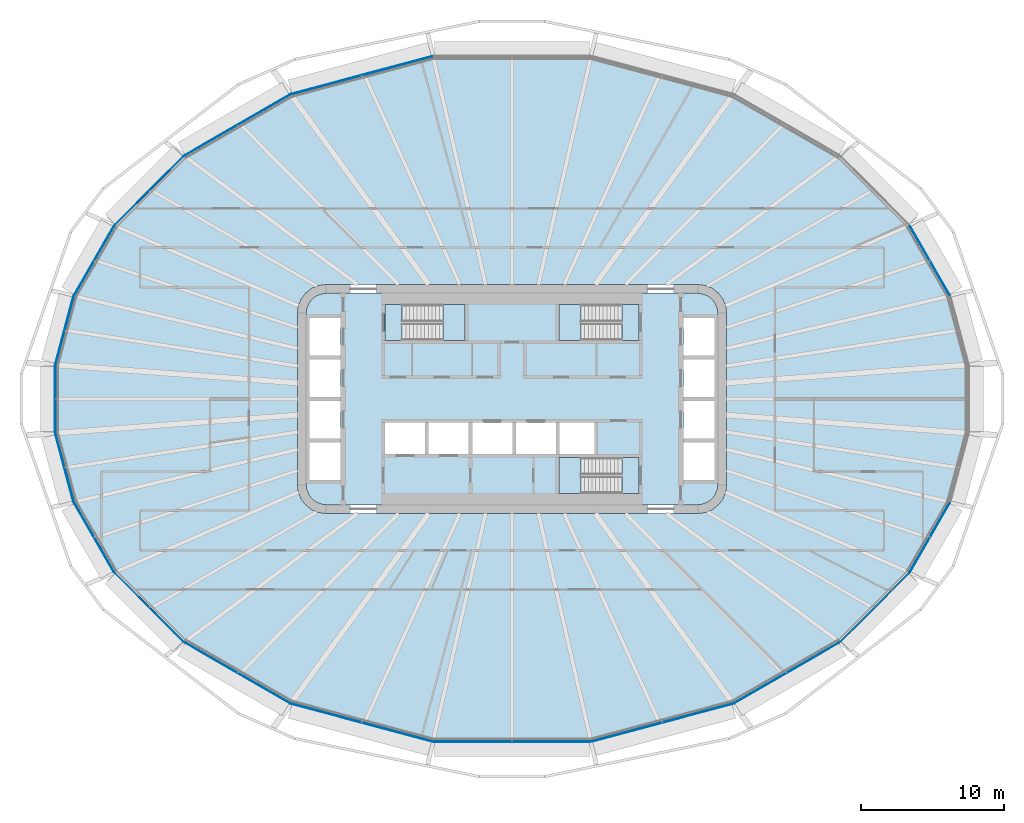
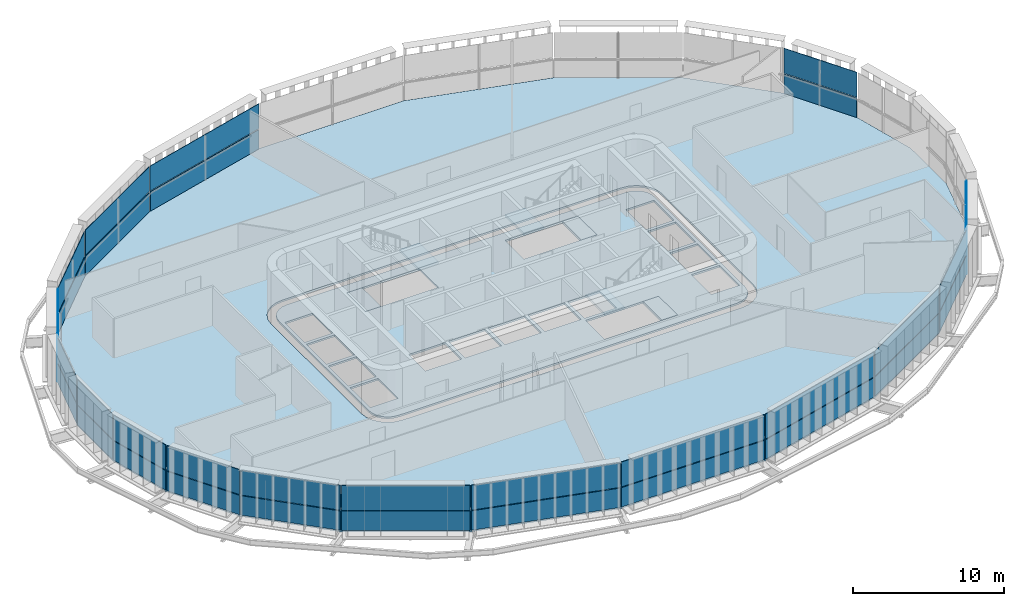
# One storey, part 13 of 25: 34 plates, 8 slabs, 20 elements without a shape of their own.
"""IFC4 building model written with IfcOpenShell, lengths in metres."""

import ifcopenshell
import ifcopenshell.guid

model = None  # the IFC model being written
_history = None  # IfcOwnerHistory: only IFC2X3 demands one
_inside = {}  # id of a spatial element -> (the spatial element, [elements in it])
_under = {}  # id of a project, library or spatial element -> (it, [spatial elements below it])
_declared = {}  # id of a project -> (the project, [libraries it declares])
_typed = {}  # id of a type object -> (the type object, [elements of that type])
_made_of = {}  # id of a material, layer set ... -> (it, [elements and type objects made of it])


def new_model(schema):
    """Start an empty IFC model of exactly this schema.

    Asked for "IFC4X3", IfcOpenShell would pick the latest addendum, in which some entities
    have other attributes; the version numbers below select the first issue.
    IFC2X3 requires an IfcOwnerHistory on every rooted entity: one is made here for all.
    """
    global model, _history
    if schema == "IFC4X3":
        model = ifcopenshell.file(schema_version=(4, 3, 0, 0))
    else:
        model = ifcopenshell.file(schema=schema)
    _inside.clear()
    _under.clear()
    _declared.clear()
    _typed.clear()
    _made_of.clear()
    _history = None
    if model.schema == "IFC2X3":
        org = make("IfcOrganization", Name="unknown")
        user = make(
            "IfcPersonAndOrganization",
            ThePerson=make("IfcPerson", FamilyName="unknown"),
            TheOrganization=org,
        )
        app = make(
            "IfcApplication",
            ApplicationDeveloper=org,
            Version="unknown",
            ApplicationFullName="unknown",
            ApplicationIdentifier="unknown",
        )
        _history = make(
            "IfcOwnerHistory",
            OwningUser=user,
            OwningApplication=app,
            ChangeAction="ADDED",
            CreationDate=0,
        )
    return model


def make(cls, **values):
    """One entity of the class cls with the attributes given. An attribute that is None is left unset."""
    return model.create_entity(
        cls, **{name: value for name, value in values.items() if value is not None}
    )


def rooted(cls, **values):
    """An entity with a GlobalId (a new one), such as an element, a storey or a relation."""
    return make(cls, GlobalId=ifcopenshell.guid.new(), OwnerHistory=_history, **values)


def si_unit(unit_type, name, prefix=None):
    """IfcSIUnit, for example si_unit("LENGTHUNIT", "METRE", prefix="MILLI")."""
    return make("IfcSIUnit", UnitType=unit_type, Prefix=prefix, Name=name)


def assignment(units):
    """IfcUnitAssignment: the units of a project."""
    return None if units is None else make("IfcUnitAssignment", Units=units)


def point(xyz):
    """IfcCartesianPoint."""
    return None if xyz is None else make("IfcCartesianPoint", Coordinates=xyz)


def direction(xyz):
    """IfcDirection."""
    return None if xyz is None else make("IfcDirection", DirectionRatios=xyz)


def frame(location, z_axis=None, x_axis=None):
    """IfcAxis2Placement3D, a coordinate frame: its origin and axes. An axis left out is left unset."""
    return make(
        "IfcAxis2Placement3D",
        Location=point(location),
        Axis=direction(z_axis),
        RefDirection=direction(x_axis),
    )


def origin():
    """The frame at (0, 0, 0) with its axes left unset."""
    return frame((0.0, 0.0, 0.0))


def place(relative_to, where):
    """IfcLocalPlacement: puts the frame where relative to a parent placement (None: the world)."""
    return make(
        "IfcLocalPlacement", PlacementRelTo=relative_to, RelativePlacement=where
    )


def context(
    kind, dimensions, precision=None, world=None, true_north=None, identifier=None
):
    """IfcGeometricRepresentationContext, for example the 3D "Model" context."""
    return make(
        "IfcGeometricRepresentationContext",
        ContextIdentifier=identifier,
        ContextType=kind,
        CoordinateSpaceDimension=dimensions,
        Precision=precision,
        WorldCoordinateSystem=world,
        TrueNorth=true_north,
    )


def subcontext(parent, identifier, kind, view, scale=None):
    """IfcGeometricRepresentationSubContext, for example "Body" below "Model"."""
    return make(
        "IfcGeometricRepresentationSubContext",
        ContextIdentifier=identifier,
        ContextType=kind,
        ParentContext=parent,
        TargetScale=scale,
        TargetView=view,
    )


def project(units=None, contexts=None):
    """IfcProject with its units and contexts."""
    return rooted(
        "IfcProject",
        Name="project",
        RepresentationContexts=contexts,
        UnitsInContext=assignment(units),
    )


def spatial(cls, under=None, at=None, **own):
    """A site, building, storey or space (cls), placed at a placement, below another one or the project."""
    s = rooted(cls, ObjectPlacement=at, **own)
    if under is not None:
        _under.setdefault(under.id(), (under, []))[1].append(s)
    return s


def polyline(points):
    """IfcPolyline through the points."""
    return make("IfcPolyline", Points=[point(p) for p in points])


def outline(outer, holes=None, kind="AREA"):
    """IfcArbitraryClosedProfileDef: a profile drawn as a closed curve; with holes, ...WithVoids."""
    if holes is None:
        return make("IfcArbitraryClosedProfileDef", ProfileType=kind, OuterCurve=outer)
    return make(
        "IfcArbitraryProfileDefWithVoids",
        ProfileType=kind,
        OuterCurve=outer,
        InnerCurves=holes,
    )


def extrude(swept, where, along, depth):
    """IfcExtrudedAreaSolid: the profile swept, set in the frame where, extruded along a direction by depth."""
    return make(
        "IfcExtrudedAreaSolid",
        SweptArea=swept,
        Position=where,
        ExtrudedDirection=direction(along),
        Depth=depth,
    )


def shape(context_of_items, identifier, shape_type, items):
    """IfcShapeRepresentation: the items that make up one representation, for example the "Body"."""
    return make(
        "IfcShapeRepresentation",
        ContextOfItems=context_of_items,
        RepresentationIdentifier=identifier,
        RepresentationType=shape_type,
        Items=items,
    )


def material(Name=None, Category=None):
    """IfcMaterial."""
    return make("IfcMaterial", Name=Name, Category=Category)


def layer(
    of_material, thickness, ventilated=None, Name=None, Category=None, Priority=None
):
    """IfcMaterialLayer: one layer of a wall or slab, of a material (None: an air gap)."""
    return make(
        "IfcMaterialLayer",
        Material=of_material,
        LayerThickness=thickness,
        IsVentilated=ventilated,
        Name=Name,
        Category=Category,
        Priority=Priority,
    )


def layer_set(layers, Name=None):
    """IfcMaterialLayerSet."""
    return make("IfcMaterialLayerSet", MaterialLayers=layers, LayerSetName=Name)


def made_of(thing, what):
    """Note that an element or type object is made of a material, layer set ...; save() writes the relation."""
    if what is not None:
        _made_of.setdefault(what.id(), (what, []))[1].append(thing)
    return thing


def type_object(cls, material=None, **own):
    """A type object (cls), such as IfcWallType, which elements share."""
    return made_of(rooted(cls, **own), material)


def element(
    cls,
    number,
    at=None,
    inside=None,
    cuts=None,
    type_object=None,
    material=None,
    context=None,
    identifier="Body",
    shape_type=None,
    held_by="IfcProductDefinitionShape",
    body=None,
    shapes=None,
    **own,
):
    """One element of the class cls, such as IfcWall. Its Tag is "e" and its number.

    at: its placement. inside: the storey or other place that contains it. cuts: it is an
    opening in that element (IfcRelVoidsElement). A single representation is given by context,
    identifier, shape_type and body (its items); several are given by shapes. held_by: the class
    of the entity that holds the representations. save() writes the other relations.
    """
    e = rooted(cls, Tag="e%d" % number, ObjectPlacement=at, **own)
    if body is not None:
        shapes = [shape(context, identifier, shape_type, body)]
    if shapes is not None:
        e.Representation = make(held_by, Representations=shapes)
    if inside is not None:
        _inside.setdefault(inside.id(), (inside, []))[1].append(e)
    if cuts is not None:
        rooted(
            "IfcRelVoidsElement", RelatingBuildingElement=cuts, RelatedOpeningElement=e
        )
    if type_object is not None:
        _typed.setdefault(type_object.id(), (type_object, []))[1].append(e)
    return made_of(e, material)


def aggregate(whole, parts):
    """IfcRelAggregates: a whole, such as a stair, and the parts it consists of."""
    return rooted("IfcRelAggregates", RelatingObject=whole, RelatedObjects=parts)


def save(model, path):
    """Write the relations noted so far, then the file.

    IfcRelAggregates (storeys below a building ...), IfcRelContainedInSpatialStructure (elements
    in a storey), IfcRelDefinesByType, IfcRelAssociatesMaterial and IfcRelDeclares: one each for
    every whole, place, type object, material and project.
    """
    for whole, parts in _under.values():
        aggregate(whole, parts)
    for where, things in _inside.values():
        rooted(
            "IfcRelContainedInSpatialStructure",
            RelatedElements=things,
            RelatingStructure=where,
        )
    for kind, things in _typed.values():
        rooted("IfcRelDefinesByType", RelatedObjects=things, RelatingType=kind)
    for what, things in _made_of.values():
        rooted("IfcRelAssociatesMaterial", RelatedObjects=things, RelatingMaterial=what)
    for by, libraries in _declared.values():
        rooted("IfcRelDeclares", RelatingContext=by, RelatedDefinitions=libraries)
    model.write(path)


model = new_model("IFC4")

# Units and contexts
model_context = context("Model", 3, precision=1e-05, world=origin(), true_north=direction((0.0, 1.0)))
body_context = subcontext(model_context, "Body", "Model", "MODEL_VIEW")
ifc_project = project(units=[si_unit("LENGTHUNIT", "METRE"), si_unit("AREAUNIT", "SQUARE_METRE"), si_unit("VOLUMEUNIT", "CUBIC_METRE"), si_unit("PLANEANGLEUNIT", "RADIAN"), si_unit("MASSUNIT", "GRAM", prefix="KILO")], contexts=[model_context])

# Site, building, storey
site_placement = place(None, origin())
site = spatial("IfcSite", under=ifc_project, at=site_placement, CompositionType="ELEMENT")
building_placement = place(site_placement, origin())
building = spatial("IfcBuilding", under=site, at=building_placement, Name="Sahrelin Media Tower", CompositionType="ELEMENT")
storey_placement = place(building_placement, frame((0.0, 0.0, 110.39990234375)))
storey = spatial("IfcBuildingStorey", under=building, at=storey_placement, Name="L21", CompositionType="ELEMENT", Elevation=110.39990234375)

# Slabs
ifc_material_1 = material(Name="Concrete C40/50", Category="concrete")
ifc_layer_1 = layer(ifc_material_1, 0.14990234375)
ifc_layer_set_1 = layer_set([ifc_layer_1], Name="Composite floor slab 150")
slab_type_1 = type_object("IfcSlabType", Name="Composite floor slab 150", PredefinedType="FLOOR", material=ifc_layer_set_1)
placement_1 = place(storey_placement, frame((0.0, 0.0, -0.14990234375)))
element("IfcSlab", 1, at=placement_1, inside=storey, type_object=slab_type_1, Name="Floor slab L21", PredefinedType="FLOOR", context=body_context, shape_type="SweptSolid", body=[
    extrude(outline(polyline([(31.92431640625, -2.384521484375), (31.92431640625, 2.384521484375), (30.63330078125, 7.20263671875), (27.79541015625, 12.117919921875), (22.919189453125, 16.994384765625), (15.475830078125, 21.291748046875), (5.5283203125, 23.95703125), (-5.5283203125, 23.95703125), (-15.475830078125, 21.291748046875), (-22.919189453125, 16.994384765625), (-27.79541015625, 12.117919921875), (-30.63330078125, 7.20263671875), (-31.92431640625, 2.384521484375), (-31.92431640625, -2.384521484375), (-30.63330078125, -7.20263671875), (-27.79541015625, -12.117919921875), (-22.919189453125, -16.994384765625), (-15.475830078125, -21.291748046875), (-5.5283203125, -23.95703125), (5.5283203125, -23.95703125), (15.475830078125, -21.291748046875), (22.919189453125, -16.994384765625), (27.79541015625, -12.117919921875), (30.63330078125, -7.20263671875), (31.92431640625, -2.384521484375)]), holes=[polyline([(14.931884765625, 6.517578125), (15.0, 6.0), (15.0, -6.0), (14.931884765625, -6.517578125), (14.732177734375, -7.0), (14.414306640625, -7.414306640625), (14.0, -7.732177734375), (13.517578125, -7.931884765625), (13.0, -8.0), (-13.0, -8.0), (-13.517578125, -7.931884765625), (-14.0, -7.732177734375), (-14.414306640625, -7.414306640625), (-14.732177734375, -7.0), (-14.931884765625, -6.517578125), (-15.0, -6.0), (-15.0, 6.0), (-14.931884765625, 6.517578125), (-14.732177734375, 7.0), (-14.414306640625, 7.414306640625), (-14.0, 7.732177734375), (-13.517578125, 7.931884765625), (-13.0, 8.0), (13.0, 8.0), (13.517578125, 7.931884765625), (14.0, 7.732177734375), (14.414306640625, 7.414306640625), (14.732177734375, 7.0), (14.931884765625, 6.517578125)])]), origin(), (0.0, 0.0, 1.0), 0.14990234375),
])
ifc_layer_2 = layer(ifc_material_1, 0.14990234375)
ifc_layer_set_2 = layer_set([ifc_layer_2], Name="Core floor slab 150")
slab_type_2 = type_object("IfcSlabType", Name="Core floor slab 150", PredefinedType="FLOOR", material=ifc_layer_set_2)
element("IfcSlab", 2, at=placement_1, inside=storey, type_object=slab_type_2, Name="Core floor", PredefinedType="FLOOR", context=body_context, shape_type="SweptSolid", body=[
    extrude(outline(polyline([(-14.347412109375, 6.361083984375), (-14.39990234375, 5.960693359375), (-14.39990234375, -5.960693359375), (-14.347412109375, -6.361083984375), (-14.2080078125, -6.697509765625), (-13.986328125, -6.986328125), (-13.697509765625, -7.2080078125), (-13.361083984375, -7.347412109375), (-12.960693359375, -7.39990234375), (12.960693359375, -7.39990234375), (13.361083984375, -7.347412109375), (13.697509765625, -7.2080078125), (13.986328125, -6.986328125), (14.2080078125, -6.697509765625), (14.347412109375, -6.361083984375), (14.39990234375, -5.960693359375), (14.39990234375, 5.960693359375), (14.347412109375, 6.361083984375), (14.2080078125, 6.697509765625), (13.986328125, 6.986328125), (13.697509765625, 7.2080078125), (13.361083984375, 7.347412109375), (12.960693359375, 7.39990234375), (-12.960693359375, 7.39990234375), (-13.361083984375, 7.347412109375), (-13.697509765625, 7.2080078125), (-13.986328125, 6.986328125), (-14.2080078125, 6.697509765625), (-14.347412109375, 6.361083984375)]), holes=[polyline([(-12.0, 3.02490234375), (-12.0, 5.675048828125), (-14.14990234375, 5.675048828125), (-14.14990234375, 3.02490234375), (-12.0, 3.02490234375)]), polyline([(-14.14990234375, 0.125), (-12.0, 0.125), (-12.0, 2.77490234375), (-14.14990234375, 2.77490234375), (-14.14990234375, 0.125)]), polyline([(-14.14990234375, -0.125), (-14.14990234375, -2.77490234375), (-12.0, -2.77490234375), (-12.0, -0.125), (-14.14990234375, -0.125)]), polyline([(-12.0, -3.02490234375), (-14.14990234375, -3.02490234375), (-14.14990234375, -5.675048828125), (-12.0, -5.675048828125), (-12.0, -3.02490234375)]), polyline([(14.14990234375, 3.02490234375), (14.14990234375, 5.675048828125), (12.0, 5.675048828125), (12.0, 3.02490234375), (14.14990234375, 3.02490234375)]), polyline([(12.0, 0.125), (14.14990234375, 0.125), (14.14990234375, 2.77490234375), (12.0, 2.77490234375), (12.0, 0.125)]), polyline([(12.0, -0.125), (12.0, -2.77490234375), (14.14990234375, -2.77490234375), (14.14990234375, -0.125), (12.0, -0.125)]), polyline([(14.14990234375, -3.02490234375), (12.0, -3.02490234375), (12.0, -5.675048828125), (14.14990234375, -5.675048828125), (14.14990234375, -3.02490234375)]), polyline([(-6.074951171875, -3.85009765625), (-6.074951171875, -1.64990234375), (-8.875, -1.64990234375), (-8.875, -3.85009765625), (-6.074951171875, -3.85009765625)]), polyline([(-5.824951171875, -3.85009765625), (-3.02490234375, -3.85009765625), (-3.02490234375, -1.64990234375), (-5.824951171875, -1.64990234375), (-5.824951171875, -3.85009765625)]), polyline([(-2.77490234375, -1.64990234375), (-2.77490234375, -3.85009765625), (0.02490234375, -3.85009765625), (0.02490234375, -1.64990234375), (-2.77490234375, -1.64990234375)]), polyline([(3.074951171875, -1.64990234375), (0.27490234375, -1.64990234375), (0.27490234375, -3.85009765625), (3.074951171875, -3.85009765625), (3.074951171875, -1.64990234375)]), polyline([(5.77490234375, -3.85009765625), (5.77490234375, -1.64990234375), (3.324951171875, -1.64990234375), (3.324951171875, -3.85009765625), (5.77490234375, -3.85009765625)]), polyline([(-8.875, 6.60009765625), (-8.875, 4.10009765625), (-3.27490234375, 4.10009765625), (-3.27490234375, 6.60009765625), (-8.875, 6.60009765625)]), polyline([(3.27490234375, 4.10009765625), (8.875, 4.10009765625), (8.875, 6.60009765625), (3.27490234375, 6.60009765625), (3.27490234375, 4.10009765625)]), polyline([(3.27490234375, -4.10009765625), (3.27490234375, -6.60009765625), (8.875, -6.60009765625), (8.875, -4.10009765625), (3.27490234375, -4.10009765625)])]), origin(), (0.0, 0.0, 1.0), 0.14990234375),
])

# Curtain wall, plate
ifc_material_2 = material(Name="Champagne anodised aluminium 6063-T6", Category="aluminium")
ifc_layer_3 = layer(ifc_material_2, 0.14990234375)
ifc_layer_set_3 = layer_set([ifc_layer_3], Name="Tower ribbon curtain wall")
curtain_wall_type = type_object("IfcCurtainWallType", Name="Tower ribbon curtain wall", PredefinedType="NOTDEFINED", material=ifc_layer_set_3)
curtain_wall_1_placement = place(storey_placement, frame((29.231689453125, 9.67041015625, 0.0), z_axis=(0.0, 0.0, 1.0), x_axis=(1.0, 0.0, 0.0)))
curtain_wall_1 = element("IfcCurtainWall", 3, at=curtain_wall_1_placement, inside=storey, type_object=curtain_wall_type, Name="L21:CW:L21-02", PredefinedType="NOTDEFINED")
ifc_material_3 = material(Name="Clear low-iron glazing", Category="glass")
ifc_layer_4 = layer(ifc_material_3, 0.0400390625)
ifc_layer_set_4 = layer_set([ifc_layer_4], Name="Glazing panel 40 mm CW1")
plate_type_1 = type_object("IfcPlateType", Name="Glazing panel 40 mm CW1", PredefinedType="CURTAIN_PANEL", material=ifc_layer_set_4)
plate_1_placement = place(storey_placement, frame((30.644287109375, 7.263671875, 1.630126953125), z_axis=(0.866021677438, 0.500006454166, 0.0), x_axis=(-0.500006454166, 0.866021677438, 0.0)))
plate_1 = element("IfcPlate", 4, at=plate_1_placement, type_object=plate_type_1, Name="L21:CWP2:L21-02", PredefinedType="CURTAIN_PANEL", context=body_context, shape_type="SweptSolid", body=[
    extrude(outline(polyline([(0.0, 0.0), (5.5810546875, 0.0), (5.5810546875, 2.0185546875), (0.0, 2.0185546875), (0.0, 0.0)])), origin(), (0.0, 0.0, -1.0), 0.0400390625),
])

curtain_wall_2_placement = place(storey_placement, frame((-10.50732421875, 22.643798828125, 0.0), z_axis=(0.0, 0.0, 1.0), x_axis=(1.0, 0.0, 0.0)))
curtain_wall_2 = element("IfcCurtainWall", 5, at=curtain_wall_2_placement, inside=storey, type_object=curtain_wall_type, Name="L21:CW:L21-07", PredefinedType="NOTDEFINED")
plate_2_placement = place(storey_placement, frame((-5.58447265625, 23.9833984375, 1.630126953125), z_axis=(-0.258816614048, 0.965926477685, 0.0), x_axis=(-0.965926477685, -0.258816614048, 0.0)))
plate_2 = element("IfcPlate", 6, at=plate_2_placement, type_object=plate_type_1, Name="L21:CWP2:L21-07", PredefinedType="CURTAIN_PANEL", context=body_context, shape_type="SweptSolid", body=[
    extrude(outline(polyline([(0.0, 0.0), (10.20361328125, 0.0), (10.20361328125, 2.0185546875), (0.0, 2.0185546875), (0.0, 0.0)])), origin(), (0.0, 0.0, -1.0), 0.0400390625),
])

curtain_wall_3_placement = place(storey_placement, frame((-19.20751953125, 19.160400390625, 0.0), z_axis=(0.0, 0.0, 1.0), x_axis=(1.0, 0.0, 0.0)))
curtain_wall_3 = element("IfcCurtainWall", 7, at=curtain_wall_3_placement, inside=storey, type_object=curtain_wall_type, Name="L21:CW:L21-08", PredefinedType="NOTDEFINED")
plate_3_placement = place(storey_placement, frame((-15.536865234375, 21.302490234375, 1.630126953125), z_axis=(-0.499994284652, 0.866028703517, 0.0), x_axis=(-0.866028703517, -0.499994284652, 0.0)))
plate_3 = element("IfcPlate", 8, at=plate_3_placement, type_object=plate_type_1, Name="L21:CWP2:L21-08", PredefinedType="CURTAIN_PANEL", context=body_context, shape_type="SweptSolid", body=[
    extrude(outline(polyline([(0.0, 0.0), (8.5, 0.0), (8.5, 2.0185546875), (0.0, 2.0185546875), (0.0, 0.0)])), origin(), (0.0, 0.0, -1.0), 0.0400390625),
])

curtain_wall_4_placement = place(storey_placement, frame((-25.371337890625, 14.5703125, 0.0), z_axis=(0.0, 0.0, 1.0), x_axis=(1.0, 0.0, 0.0)))
curtain_wall_4 = element("IfcCurtainWall", 9, at=curtain_wall_4_placement, inside=storey, type_object=curtain_wall_type, Name="L21:CW:L21-09", PredefinedType="NOTDEFINED")
plate_4_placement = place(storey_placement, frame((-22.98095703125, 16.989013671875, 1.630126953125), z_axis=(-0.707106781187, 0.707106781187, 0.0), x_axis=(-0.707106781187, -0.707106781187, 0.0)))
plate_4 = element("IfcPlate", 10, at=plate_4_placement, type_object=plate_type_1, Name="L21:CWP2:L21-09", PredefinedType="CURTAIN_PANEL", context=body_context, shape_type="SweptSolid", body=[
    extrude(outline(polyline([(0.0, 0.0), (6.801513671875, 0.0), (6.801513671875, 2.0185546875), (0.0, 2.0185546875), (0.0, 0.0)])), origin(), (0.0, 0.0, -1.0), 0.0400390625),
])

curtain_wall_5_placement = place(storey_placement, frame((-29.231689453125, 9.67041015625, 0.0), z_axis=(0.0, 0.0, 1.0), x_axis=(1.0, 0.0, 0.0)))
curtain_wall_5 = element("IfcCurtainWall", 11, at=curtain_wall_5_placement, inside=storey, type_object=curtain_wall_type, Name="L21:CW:L21-10", PredefinedType="NOTDEFINED")
plate_5_placement = place(storey_placement, frame((-27.853759765625, 12.096923828125, 1.630126953125), z_axis=(-0.866021677438, 0.500006454166, 0.0), x_axis=(-0.500006454166, -0.866021677438, 0.0)))
plate_5 = element("IfcPlate", 12, at=plate_5_placement, type_object=plate_type_1, Name="L21:CWP2:L21-10", PredefinedType="CURTAIN_PANEL", context=body_context, shape_type="SweptSolid", body=[
    extrude(outline(polyline([(0.0, 0.0), (5.5810546875, 0.0), (5.5810546875, 2.0185546875), (0.0, 2.0185546875), (0.0, 0.0)])), origin(), (0.0, 0.0, -1.0), 0.0400390625),
])

curtain_wall_6_placement = place(storey_placement, frame((-31.298095703125, 4.798583984375, 0.0), z_axis=(0.0, 0.0, 1.0), x_axis=(1.0, 0.0, 0.0)))
curtain_wall_6 = element("IfcCurtainWall", 13, at=curtain_wall_6_placement, inside=storey, type_object=curtain_wall_type, Name="L21:CW:L21-11", PredefinedType="NOTDEFINED")
plate_6_placement = place(storey_placement, frame((-30.684326171875, 7.167236328125, 1.630126953125), z_axis=(-0.965932017326, 0.258795938733, 0.0), x_axis=(-0.258795938733, -0.965932017326, 0.0)))
plate_6 = element("IfcPlate", 14, at=plate_6_placement, type_object=plate_type_1, Name="L21:CWP2:L21-11", PredefinedType="CURTAIN_PANEL", context=body_context, shape_type="SweptSolid", body=[
    extrude(outline(polyline([(0.0, 0.0), (4.893310546875, 0.0), (4.893310546875, 2.0185546875), (0.0, 2.0185546875), (0.0, 0.0)])), origin(), (0.0, 0.0, -1.0), 0.0400390625),
])

curtain_wall_7_placement = place(storey_placement, frame((-31.9443359375, 0.0, 0.0), z_axis=(0.0, 0.0, 1.0), x_axis=(1.0, 0.0, 0.0)))
curtain_wall_7 = element("IfcCurtainWall", 15, at=curtain_wall_7_placement, inside=storey, type_object=curtain_wall_type, Name="L21:CW:L21-12", PredefinedType="NOTDEFINED")
plate_7_placement = place(storey_placement, frame((-31.96435546875, 2.337158203125, 1.630126953125), z_axis=(-1.0, 0.0, 0.0), x_axis=(0.0, -1.0, 0.0)))
plate_7 = element("IfcPlate", 16, at=plate_7_placement, type_object=plate_type_1, Name="L21:CWP2:L21-12", PredefinedType="CURTAIN_PANEL", context=body_context, shape_type="SweptSolid", body=[
    extrude(outline(polyline([(0.0, 0.0), (4.67431640625, 0.0), (4.67431640625, 2.0185546875), (0.0, 2.0185546875), (0.0, 0.0)])), origin(), (0.0, 0.0, -1.0), 0.0400390625),
])

curtain_wall_8_placement = place(storey_placement, frame((-31.298095703125, -4.798828125, 0.0), z_axis=(0.0, 0.0, 1.0), x_axis=(1.0, 0.0, 0.0)))
curtain_wall_8 = element("IfcCurtainWall", 17, at=curtain_wall_8_placement, inside=storey, type_object=curtain_wall_type, Name="L21:CW:L21-13", PredefinedType="NOTDEFINED")
plate_8_placement = place(storey_placement, frame((-31.95068359375, -2.440673828125, 1.630126953125), z_axis=(-0.965932017326, -0.258795938733, 0.0), x_axis=(0.258795938733, -0.965932017326, 0.0)))
plate_8 = element("IfcPlate", 18, at=plate_8_placement, type_object=plate_type_1, Name="L21:CWP2:L21-13", PredefinedType="CURTAIN_PANEL", context=body_context, shape_type="SweptSolid", body=[
    extrude(outline(polyline([(0.0, 0.0), (4.893310546875, 0.0), (4.893310546875, 2.0185546875), (0.0, 2.0185546875), (0.0, 0.0)])), origin(), (0.0, 0.0, -1.0), 0.0400390625),
])

curtain_wall_9_placement = place(storey_placement, frame((-29.231689453125, -9.67041015625, 0.0), z_axis=(0.0, 0.0, 1.0), x_axis=(1.0, 0.0, 0.0)))
curtain_wall_9 = element("IfcCurtainWall", 19, at=curtain_wall_9_placement, inside=storey, type_object=curtain_wall_type, Name="L21:CW:L21-14", PredefinedType="NOTDEFINED")
plate_9_placement = place(storey_placement, frame((-30.644287109375, -7.263671875, 1.630126953125), z_axis=(-0.866021677438, -0.500006454166, 0.0), x_axis=(0.500006454166, -0.866021677438, 0.0)))
plate_9 = element("IfcPlate", 20, at=plate_9_placement, type_object=plate_type_1, Name="L21:CWP2:L21-14", PredefinedType="CURTAIN_PANEL", context=body_context, shape_type="SweptSolid", body=[
    extrude(outline(polyline([(0.0, 0.0), (5.5810546875, 0.0), (5.5810546875, 2.0185546875), (0.0, 2.0185546875), (0.0, 0.0)])), origin(), (0.0, 0.0, -1.0), 0.0400390625),
])

curtain_wall_10_placement = place(storey_placement, frame((-25.371337890625, -14.5703125, 0.0), z_axis=(0.0, 0.0, 1.0), x_axis=(1.0, 0.0, 0.0)))
curtain_wall_10 = element("IfcCurtainWall", 21, at=curtain_wall_10_placement, inside=storey, type_object=curtain_wall_type, Name="L21:CW:L21-15", PredefinedType="NOTDEFINED")
plate_10_placement = place(storey_placement, frame((-27.790283203125, -12.1796875, 1.630126953125), z_axis=(-0.707106781187, -0.707106781187, 0.0), x_axis=(0.707106781187, -0.707106781187, 0.0)))
plate_10 = element("IfcPlate", 22, at=plate_10_placement, type_object=plate_type_1, Name="L21:CWP2:L21-15", PredefinedType="CURTAIN_PANEL", context=body_context, shape_type="SweptSolid", body=[
    extrude(outline(polyline([(0.0, 0.0), (6.801513671875, 0.0), (6.801513671875, 2.0185546875), (0.0, 2.0185546875), (0.0, 0.0)])), origin(), (0.0, 0.0, -1.0), 0.0400390625),
])

curtain_wall_11_placement = place(storey_placement, frame((-19.20751953125, -19.160400390625, 0.0), z_axis=(0.0, 0.0, 1.0), x_axis=(1.0, 0.0, 0.0)))
curtain_wall_11 = element("IfcCurtainWall", 23, at=curtain_wall_11_placement, inside=storey, type_object=curtain_wall_type, Name="L21:CW:L21-16", PredefinedType="NOTDEFINED")
plate_11_placement = place(storey_placement, frame((-22.898193359375, -17.052490234375, 1.630126953125), z_axis=(-0.499994284652, -0.866028703517, 0.0), x_axis=(0.866028703517, -0.499994284652, 0.0)))
plate_11 = element("IfcPlate", 24, at=plate_11_placement, type_object=plate_type_1, Name="L21:CWP2:L21-16", PredefinedType="CURTAIN_PANEL", context=body_context, shape_type="SweptSolid", body=[
    extrude(outline(polyline([(0.0, 0.0), (8.5, 0.0), (8.5, 2.0185546875), (0.0, 2.0185546875), (0.0, 0.0)])), origin(), (0.0, 0.0, -1.0), 0.0400390625),
])

curtain_wall_12_placement = place(storey_placement, frame((-10.507080078125, -22.643798828125, 0.0), z_axis=(0.0, 0.0, 1.0), x_axis=(1.0, 0.0, 0.0)))
curtain_wall_12 = element("IfcCurtainWall", 25, at=curtain_wall_12_placement, inside=storey, type_object=curtain_wall_type, Name="L21:CW:L21-17", PredefinedType="NOTDEFINED")
plate_12_placement = place(storey_placement, frame((-15.4404296875, -21.342529296875, 1.630126953125), z_axis=(-0.258816614048, -0.965926477685, 0.0), x_axis=(0.965926477685, -0.258816614048, 0.0)))
plate_12 = element("IfcPlate", 26, at=plate_12_placement, type_object=plate_type_1, Name="L21:CWP2:L21-17", PredefinedType="CURTAIN_PANEL", context=body_context, shape_type="SweptSolid", body=[
    extrude(outline(polyline([(0.0, 0.0), (10.20361328125, 0.0), (10.20361328125, 2.0185546875), (0.0, 2.0185546875), (0.0, 0.0)])), origin(), (0.0, 0.0, -1.0), 0.0400390625),
])

curtain_wall_13_placement = place(storey_placement, frame((0.0, -23.97705078125, 0.0), z_axis=(0.0, 0.0, 1.0), x_axis=(1.0, 0.0, 0.0)))
curtain_wall_13 = element("IfcCurtainWall", 27, at=curtain_wall_13_placement, inside=storey, type_object=curtain_wall_type, Name="L21:CW:L21-18", PredefinedType="NOTDEFINED")
plate_13_placement = place(storey_placement, frame((-5.48095703125, -23.9970703125, 1.630126953125), z_axis=(0.0, -1.0, 0.0), x_axis=(1.0, 0.0, 0.0)))
plate_13 = element("IfcPlate", 28, at=plate_13_placement, type_object=plate_type_1, Name="L21:CWP2:L21-18", PredefinedType="CURTAIN_PANEL", context=body_context, shape_type="SweptSolid", body=[
    extrude(outline(polyline([(0.0, 0.0), (10.9619140625, 0.0), (10.9619140625, 2.0185546875), (0.0, 2.0185546875), (0.0, 0.0)])), origin(), (0.0, 0.0, -1.0), 0.0400390625),
])

curtain_wall_14_placement = place(storey_placement, frame((10.50732421875, -22.643798828125, 0.0), z_axis=(0.0, 0.0, 1.0), x_axis=(1.0, 0.0, 0.0)))
curtain_wall_14 = element("IfcCurtainWall", 29, at=curtain_wall_14_placement, inside=storey, type_object=curtain_wall_type, Name="L21:CW:L21-19", PredefinedType="NOTDEFINED")
plate_14_placement = place(storey_placement, frame((5.58447265625, -23.9833984375, 1.630126953125), z_axis=(0.258816614048, -0.965926477685, 0.0), x_axis=(0.965926477685, 0.258816614048, 0.0)))
plate_14 = element("IfcPlate", 30, at=plate_14_placement, type_object=plate_type_1, Name="L21:CWP2:L21-19", PredefinedType="CURTAIN_PANEL", context=body_context, shape_type="SweptSolid", body=[
    extrude(outline(polyline([(0.0, 0.0), (10.20361328125, 0.0), (10.20361328125, 2.0185546875), (0.0, 2.0185546875), (0.0, 0.0)])), origin(), (0.0, 0.0, -1.0), 0.0400390625),
])

curtain_wall_15_placement = place(storey_placement, frame((19.20751953125, -19.160400390625, 0.0), z_axis=(0.0, 0.0, 1.0), x_axis=(1.0, 0.0, 0.0)))
curtain_wall_15 = element("IfcCurtainWall", 31, at=curtain_wall_15_placement, inside=storey, type_object=curtain_wall_type, Name="L21:CW:L21-20", PredefinedType="NOTDEFINED")
plate_15_placement = place(storey_placement, frame((15.536865234375, -21.302490234375, 1.630126953125), z_axis=(0.499994284652, -0.866028703517, 0.0), x_axis=(0.866028703517, 0.499994284652, 0.0)))
plate_15 = element("IfcPlate", 32, at=plate_15_placement, type_object=plate_type_1, Name="L21:CWP2:L21-20", PredefinedType="CURTAIN_PANEL", context=body_context, shape_type="SweptSolid", body=[
    extrude(outline(polyline([(0.0, 0.0), (8.5, 0.0), (8.5, 2.0185546875), (0.0, 2.0185546875), (0.0, 0.0)])), origin(), (0.0, 0.0, -1.0), 0.0400390625),
])

curtain_wall_16_placement = place(storey_placement, frame((25.371337890625, -14.5703125, 0.0), z_axis=(0.0, 0.0, 1.0), x_axis=(1.0, 0.0, 0.0)))
curtain_wall_16 = element("IfcCurtainWall", 33, at=curtain_wall_16_placement, inside=storey, type_object=curtain_wall_type, Name="L21:CW:L21-21", PredefinedType="NOTDEFINED")
plate_16_placement = place(storey_placement, frame((22.98095703125, -16.989013671875, 1.630126953125), z_axis=(0.707106781187, -0.707106781187, 0.0), x_axis=(0.707106781187, 0.707106781187, 0.0)))
plate_16 = element("IfcPlate", 34, at=plate_16_placement, type_object=plate_type_1, Name="L21:CWP2:L21-21", PredefinedType="CURTAIN_PANEL", context=body_context, shape_type="SweptSolid", body=[
    extrude(outline(polyline([(0.0, 0.0), (6.801513671875, 0.0), (6.801513671875, 2.0185546875), (0.0, 2.0185546875), (0.0, 0.0)])), origin(), (0.0, 0.0, -1.0), 0.0400390625),
])

curtain_wall_17_placement = place(storey_placement, frame((29.231689453125, -9.67041015625, 0.0), z_axis=(0.0, 0.0, 1.0), x_axis=(1.0, 0.0, 0.0)))
curtain_wall_17 = element("IfcCurtainWall", 35, at=curtain_wall_17_placement, inside=storey, type_object=curtain_wall_type, Name="L21:CW:L21-22", PredefinedType="NOTDEFINED")
plate_17_placement = place(storey_placement, frame((27.853759765625, -12.096923828125, 1.630126953125), z_axis=(0.866021677438, -0.500006454166, 0.0), x_axis=(0.500006454166, 0.866021677438, 0.0)))
plate_17 = element("IfcPlate", 36, at=plate_17_placement, type_object=plate_type_1, Name="L21:CWP2:L21-22", PredefinedType="CURTAIN_PANEL", context=body_context, shape_type="SweptSolid", body=[
    extrude(outline(polyline([(0.0, 0.0), (5.5810546875, 0.0), (5.5810546875, 2.0185546875), (0.0, 2.0185546875), (0.0, 0.0)])), origin(), (0.0, 0.0, -1.0), 0.0400390625),
])

# Plate
ifc_material_4 = material(Name="Insulated spandrel panel")
ifc_layer_5 = layer(ifc_material_4, 0.06005859375)
ifc_layer_set_5 = layer_set([ifc_layer_5], Name="Spandrel panel 60 mm CW1")
plate_type_2 = type_object("IfcPlateType", Name="Spandrel panel 60 mm CW1", PredefinedType="SHEET", material=ifc_layer_set_5)
plate_18_placement = place(storey_placement, frame((30.644287109375, 7.263671875, 0.0), z_axis=(0.866021677438, 0.500006454166, 0.0), x_axis=(-0.500006454166, 0.866021677438, 0.0)))
plate_18 = element("IfcPlate", 37, at=plate_18_placement, type_object=plate_type_2, Name="L21:CWP1:L21-02", PredefinedType="SHEET", context=body_context, shape_type="SweptSolid", body=[
    extrude(outline(polyline([(0.0, 0.0), (5.5810546875, 0.0), (5.5810546875, 1.570068359375), (0.0, 1.570068359375), (0.0, 0.0)])), origin(), (0.0, 0.0, -1.0), 0.06005859375),
])

aggregate(curtain_wall_1, [plate_18, plate_1])

plate_19_placement = place(storey_placement, frame((-5.58447265625, 23.9833984375, 0.0), z_axis=(-0.258816614048, 0.965926477685, 0.0), x_axis=(-0.965926477685, -0.258816614048, 0.0)))
plate_19 = element("IfcPlate", 38, at=plate_19_placement, type_object=plate_type_2, Name="L21:CWP1:L21-07", PredefinedType="SHEET", context=body_context, shape_type="SweptSolid", body=[
    extrude(outline(polyline([(0.0, 0.0), (10.20361328125, 0.0), (10.20361328125, 1.570068359375), (0.0, 1.570068359375), (0.0, 0.0)])), origin(), (0.0, 0.0, -1.0), 0.06005859375),
])

aggregate(curtain_wall_2, [plate_19, plate_2])

plate_20_placement = place(storey_placement, frame((-15.536865234375, 21.302490234375, 0.0), z_axis=(-0.499994284652, 0.866028703517, 0.0), x_axis=(-0.866028703517, -0.499994284652, 0.0)))
plate_20 = element("IfcPlate", 39, at=plate_20_placement, type_object=plate_type_2, Name="L21:CWP1:L21-08", PredefinedType="SHEET", context=body_context, shape_type="SweptSolid", body=[
    extrude(outline(polyline([(0.0, 0.0), (8.5, 0.0), (8.5, 1.570068359375), (0.0, 1.570068359375), (0.0, 0.0)])), origin(), (0.0, 0.0, -1.0), 0.06005859375),
])

aggregate(curtain_wall_3, [plate_20, plate_3])

plate_21_placement = place(storey_placement, frame((-22.98095703125, 16.989013671875, 0.0), z_axis=(-0.707106781187, 0.707106781187, 0.0), x_axis=(-0.707106781187, -0.707106781187, 0.0)))
plate_21 = element("IfcPlate", 40, at=plate_21_placement, type_object=plate_type_2, Name="L21:CWP1:L21-09", PredefinedType="SHEET", context=body_context, shape_type="SweptSolid", body=[
    extrude(outline(polyline([(0.0, 0.0), (6.801513671875, 0.0), (6.801513671875, 1.570068359375), (0.0, 1.570068359375), (0.0, 0.0)])), origin(), (0.0, 0.0, -1.0), 0.06005859375),
])

aggregate(curtain_wall_4, [plate_21, plate_4])

plate_22_placement = place(storey_placement, frame((-27.853759765625, 12.096923828125, 0.0), z_axis=(-0.866021677438, 0.500006454166, 0.0), x_axis=(-0.500006454166, -0.866021677438, 0.0)))
plate_22 = element("IfcPlate", 41, at=plate_22_placement, type_object=plate_type_2, Name="L21:CWP1:L21-10", PredefinedType="SHEET", context=body_context, shape_type="SweptSolid", body=[
    extrude(outline(polyline([(0.0, 0.0), (5.5810546875, 0.0), (5.5810546875, 1.570068359375), (0.0, 1.570068359375), (0.0, 0.0)])), origin(), (0.0, 0.0, -1.0), 0.06005859375),
])

aggregate(curtain_wall_5, [plate_22, plate_5])

plate_23_placement = place(storey_placement, frame((-30.684326171875, 7.167236328125, 0.0), z_axis=(-0.965932017326, 0.258795938733, 0.0), x_axis=(-0.258795938733, -0.965932017326, 0.0)))
plate_23 = element("IfcPlate", 42, at=plate_23_placement, type_object=plate_type_2, Name="L21:CWP1:L21-11", PredefinedType="SHEET", context=body_context, shape_type="SweptSolid", body=[
    extrude(outline(polyline([(0.0, 0.0), (4.893310546875, 0.0), (4.893310546875, 1.570068359375), (0.0, 1.570068359375), (0.0, 0.0)])), origin(), (0.0, 0.0, -1.0), 0.06005859375),
])

aggregate(curtain_wall_6, [plate_23, plate_6])

plate_24_placement = place(storey_placement, frame((-31.96435546875, 2.337158203125, 0.0), z_axis=(-1.0, 0.0, 0.0), x_axis=(0.0, -1.0, 0.0)))
plate_24 = element("IfcPlate", 43, at=plate_24_placement, type_object=plate_type_2, Name="L21:CWP1:L21-12", PredefinedType="SHEET", context=body_context, shape_type="SweptSolid", body=[
    extrude(outline(polyline([(0.0, 0.0), (4.67431640625, 0.0), (4.67431640625, 1.570068359375), (0.0, 1.570068359375), (0.0, 0.0)])), origin(), (0.0, 0.0, -1.0), 0.06005859375),
])

aggregate(curtain_wall_7, [plate_24, plate_7])

plate_25_placement = place(storey_placement, frame((-31.95068359375, -2.440673828125, 0.0), z_axis=(-0.965932017326, -0.258795938733, 0.0), x_axis=(0.258795938733, -0.965932017326, 0.0)))
plate_25 = element("IfcPlate", 44, at=plate_25_placement, type_object=plate_type_2, Name="L21:CWP1:L21-13", PredefinedType="SHEET", context=body_context, shape_type="SweptSolid", body=[
    extrude(outline(polyline([(0.0, 0.0), (4.893310546875, 0.0), (4.893310546875, 1.570068359375), (0.0, 1.570068359375), (0.0, 0.0)])), origin(), (0.0, 0.0, -1.0), 0.06005859375),
])

aggregate(curtain_wall_8, [plate_25, plate_8])

plate_26_placement = place(storey_placement, frame((-30.644287109375, -7.263671875, 0.0), z_axis=(-0.866021677438, -0.500006454166, 0.0), x_axis=(0.500006454166, -0.866021677438, 0.0)))
plate_26 = element("IfcPlate", 45, at=plate_26_placement, type_object=plate_type_2, Name="L21:CWP1:L21-14", PredefinedType="SHEET", context=body_context, shape_type="SweptSolid", body=[
    extrude(outline(polyline([(0.0, 0.0), (5.5810546875, 0.0), (5.5810546875, 1.570068359375), (0.0, 1.570068359375), (0.0, 0.0)])), origin(), (0.0, 0.0, -1.0), 0.06005859375),
])

aggregate(curtain_wall_9, [plate_26, plate_9])

plate_27_placement = place(storey_placement, frame((-27.790283203125, -12.1796875, 0.0), z_axis=(-0.707106781187, -0.707106781187, 0.0), x_axis=(0.707106781187, -0.707106781187, 0.0)))
plate_27 = element("IfcPlate", 46, at=plate_27_placement, type_object=plate_type_2, Name="L21:CWP1:L21-15", PredefinedType="SHEET", context=body_context, shape_type="SweptSolid", body=[
    extrude(outline(polyline([(0.0, 0.0), (6.801513671875, 0.0), (6.801513671875, 1.570068359375), (0.0, 1.570068359375), (0.0, 0.0)])), origin(), (0.0, 0.0, -1.0), 0.06005859375),
])

aggregate(curtain_wall_10, [plate_27, plate_10])

plate_28_placement = place(storey_placement, frame((-22.898193359375, -17.052490234375, 0.0), z_axis=(-0.499994284652, -0.866028703517, 0.0), x_axis=(0.866028703517, -0.499994284652, 0.0)))
plate_28 = element("IfcPlate", 47, at=plate_28_placement, type_object=plate_type_2, Name="L21:CWP1:L21-16", PredefinedType="SHEET", context=body_context, shape_type="SweptSolid", body=[
    extrude(outline(polyline([(0.0, 0.0), (8.5, 0.0), (8.5, 1.570068359375), (0.0, 1.570068359375), (0.0, 0.0)])), origin(), (0.0, 0.0, -1.0), 0.06005859375),
])

aggregate(curtain_wall_11, [plate_28, plate_11])

plate_29_placement = place(storey_placement, frame((-15.4404296875, -21.342529296875, 0.0), z_axis=(-0.258816614048, -0.965926477685, 0.0), x_axis=(0.965926477685, -0.258816614048, 0.0)))
plate_29 = element("IfcPlate", 48, at=plate_29_placement, type_object=plate_type_2, Name="L21:CWP1:L21-17", PredefinedType="SHEET", context=body_context, shape_type="SweptSolid", body=[
    extrude(outline(polyline([(0.0, 0.0), (10.20361328125, 0.0), (10.20361328125, 1.570068359375), (0.0, 1.570068359375), (0.0, 0.0)])), origin(), (0.0, 0.0, -1.0), 0.06005859375),
])

aggregate(curtain_wall_12, [plate_29, plate_12])

plate_30_placement = place(storey_placement, frame((-5.48095703125, -23.9970703125, 0.0), z_axis=(0.0, -1.0, 0.0), x_axis=(1.0, 0.0, 0.0)))
plate_30 = element("IfcPlate", 49, at=plate_30_placement, type_object=plate_type_2, Name="L21:CWP1:L21-18", PredefinedType="SHEET", context=body_context, shape_type="SweptSolid", body=[
    extrude(outline(polyline([(0.0, 0.0), (10.9619140625, 0.0), (10.9619140625, 1.570068359375), (0.0, 1.570068359375), (0.0, 0.0)])), origin(), (0.0, 0.0, -1.0), 0.06005859375),
])

aggregate(curtain_wall_13, [plate_30, plate_13])

plate_31_placement = place(storey_placement, frame((5.58447265625, -23.9833984375, 0.0), z_axis=(0.258816614048, -0.965926477685, 0.0), x_axis=(0.965926477685, 0.258816614048, 0.0)))
plate_31 = element("IfcPlate", 50, at=plate_31_placement, type_object=plate_type_2, Name="L21:CWP1:L21-19", PredefinedType="SHEET", context=body_context, shape_type="SweptSolid", body=[
    extrude(outline(polyline([(0.0, 0.0), (10.20361328125, 0.0), (10.20361328125, 1.570068359375), (0.0, 1.570068359375), (0.0, 0.0)])), origin(), (0.0, 0.0, -1.0), 0.06005859375),
])

aggregate(curtain_wall_14, [plate_31, plate_14])

plate_32_placement = place(storey_placement, frame((15.536865234375, -21.302490234375, 0.0), z_axis=(0.499994284652, -0.866028703517, 0.0), x_axis=(0.866028703517, 0.499994284652, 0.0)))
plate_32 = element("IfcPlate", 51, at=plate_32_placement, type_object=plate_type_2, Name="L21:CWP1:L21-20", PredefinedType="SHEET", context=body_context, shape_type="SweptSolid", body=[
    extrude(outline(polyline([(0.0, 0.0), (8.5, 0.0), (8.5, 1.570068359375), (0.0, 1.570068359375), (0.0, 0.0)])), origin(), (0.0, 0.0, -1.0), 0.06005859375),
])

aggregate(curtain_wall_15, [plate_32, plate_15])

plate_33_placement = place(storey_placement, frame((22.98095703125, -16.989013671875, 0.0), z_axis=(0.707106781187, -0.707106781187, 0.0), x_axis=(0.707106781187, 0.707106781187, 0.0)))
plate_33 = element("IfcPlate", 52, at=plate_33_placement, type_object=plate_type_2, Name="L21:CWP1:L21-21", PredefinedType="SHEET", context=body_context, shape_type="SweptSolid", body=[
    extrude(outline(polyline([(0.0, 0.0), (6.801513671875, 0.0), (6.801513671875, 1.570068359375), (0.0, 1.570068359375), (0.0, 0.0)])), origin(), (0.0, 0.0, -1.0), 0.06005859375),
])

aggregate(curtain_wall_16, [plate_33, plate_16])

plate_34_placement = place(storey_placement, frame((27.853759765625, -12.096923828125, 0.0), z_axis=(0.866021677438, -0.500006454166, 0.0), x_axis=(0.500006454166, 0.866021677438, 0.0)))
plate_34 = element("IfcPlate", 53, at=plate_34_placement, type_object=plate_type_2, Name="L21:CWP1:L21-22", PredefinedType="SHEET", context=body_context, shape_type="SweptSolid", body=[
    extrude(outline(polyline([(0.0, 0.0), (5.5810546875, 0.0), (5.5810546875, 1.570068359375), (0.0, 1.570068359375), (0.0, 0.0)])), origin(), (0.0, 0.0, -1.0), 0.06005859375),
])

aggregate(curtain_wall_17, [plate_34, plate_17])

# Stair, slabs
stair_type = type_object("IfcStairType", Name="Exit stair 1200", PredefinedType="HALF_TURN_STAIR", material=ifc_material_1)
placement_2 = place(storey_placement, origin())
stair_1 = element("IfcStair", 54, at=placement_2, inside=storey, type_object=stair_type, Name="L21 Exit stair ST1", PredefinedType="HALF_TURN_STAIR")
ifc_layer_6 = layer(ifc_material_1, 0.199951171875)
ifc_layer_set_6 = layer_set([ifc_layer_6], Name="Stair landing 200")
slab_type_3 = type_object("IfcSlabType", Name="Stair landing 200", PredefinedType="LANDING", material=ifc_layer_set_6)
placement_3 = place(storey_placement, frame((0.0, 0.0, 1.900146484375)))
slab_3 = element("IfcSlab", 55, at=placement_3, type_object=slab_type_3, Name="ST1 landing 1", PredefinedType="LANDING", context=body_context, shape_type="SweptSolid", body=[
    extrude(outline(polyline([(-4.81494140625, 4.10009765625), (-3.27490234375, 4.10009765625), (-3.27490234375, 6.60009765625), (-4.81494140625, 6.60009765625), (-4.81494140625, 4.10009765625)])), origin(), (0.0, 0.0, 1.0), 0.199951171875),
])
placement_4 = place(storey_placement, frame((0.0, 0.0, -0.199951171875)))
slab_4 = element("IfcSlab", 56, at=placement_4, type_object=slab_type_3, Name="ST1 landing 2", PredefinedType="LANDING", context=body_context, shape_type="SweptSolid", body=[
    extrude(outline(polyline([(-8.875, 4.10009765625), (-7.675048828125, 4.10009765625), (-7.675048828125, 6.60009765625), (-8.875, 6.60009765625), (-8.875, 4.10009765625)])), origin(), (0.0, 0.0, 1.0), 0.199951171875),
])
aggregate(stair_1, [slab_3, slab_4])

stair_2 = element("IfcStair", 57, at=placement_2, inside=storey, type_object=stair_type, Name="L21 Exit stair ST3", PredefinedType="HALF_TURN_STAIR")
slab_5 = element("IfcSlab", 58, at=placement_3, type_object=slab_type_3, Name="ST3 landing 1", PredefinedType="LANDING", context=body_context, shape_type="SweptSolid", body=[
    extrude(outline(polyline([(4.81494140625, 6.60009765625), (3.27490234375, 6.60009765625), (3.27490234375, 4.10009765625), (4.81494140625, 4.10009765625), (4.81494140625, 6.60009765625)])), origin(), (0.0, 0.0, 1.0), 0.199951171875),
])
slab_6 = element("IfcSlab", 59, at=placement_4, type_object=slab_type_3, Name="ST3 landing 2", PredefinedType="LANDING", context=body_context, shape_type="SweptSolid", body=[
    extrude(outline(polyline([(8.875, 6.60009765625), (7.675048828125, 6.60009765625), (7.675048828125, 4.10009765625), (8.875, 4.10009765625), (8.875, 6.60009765625)])), origin(), (0.0, 0.0, 1.0), 0.199951171875),
])
aggregate(stair_2, [slab_5, slab_6])

stair_3 = element("IfcStair", 60, at=placement_2, inside=storey, type_object=stair_type, Name="L21 Exit stair ST2", PredefinedType="HALF_TURN_STAIR")
slab_7 = element("IfcSlab", 61, at=placement_3, type_object=slab_type_3, Name="ST2 landing 1", PredefinedType="LANDING", context=body_context, shape_type="SweptSolid", body=[
    extrude(outline(polyline([(4.81494140625, -4.10009765625), (3.27490234375, -4.10009765625), (3.27490234375, -6.60009765625), (4.81494140625, -6.60009765625), (4.81494140625, -4.10009765625)])), origin(), (0.0, 0.0, 1.0), 0.199951171875),
])
slab_8 = element("IfcSlab", 62, at=placement_4, type_object=slab_type_3, Name="ST2 landing 2", PredefinedType="LANDING", context=body_context, shape_type="SweptSolid", body=[
    extrude(outline(polyline([(8.875, -4.10009765625), (7.675048828125, -4.10009765625), (7.675048828125, -6.60009765625), (8.875, -6.60009765625), (8.875, -4.10009765625)])), origin(), (0.0, 0.0, 1.0), 0.199951171875),
])
aggregate(stair_3, [slab_7, slab_8])

save(model, "model.ifc")
